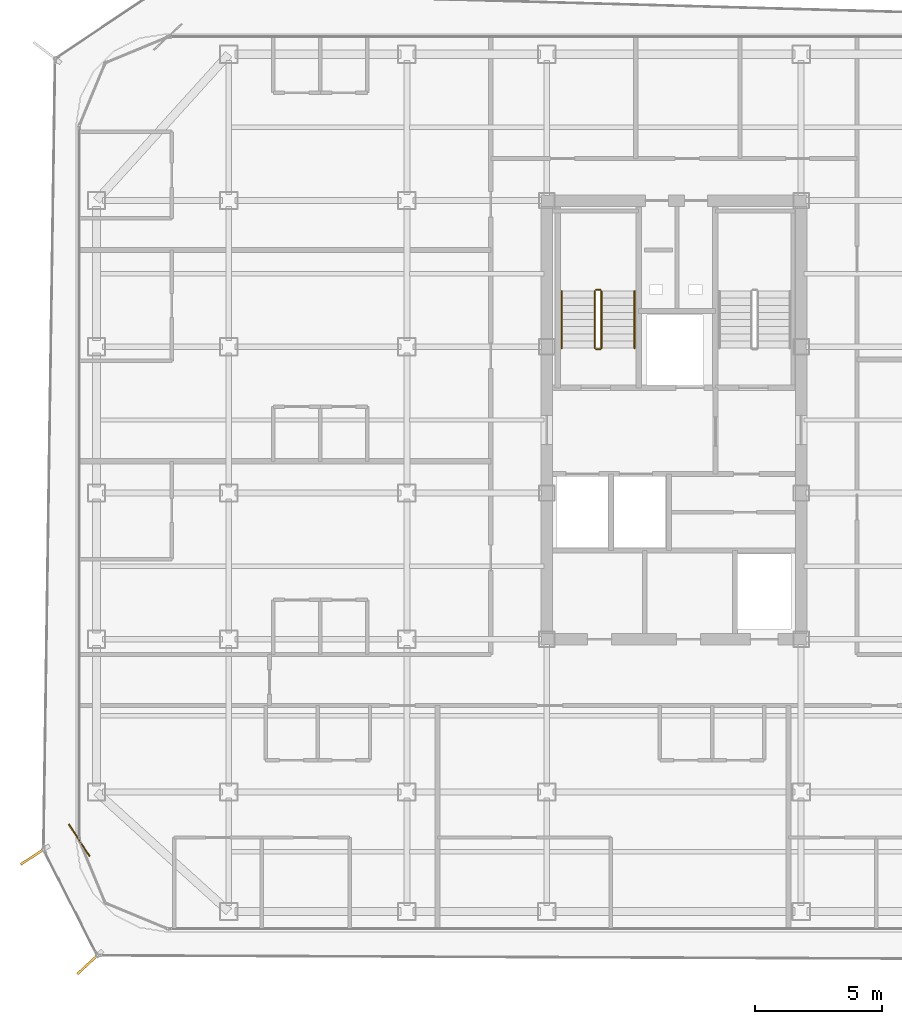
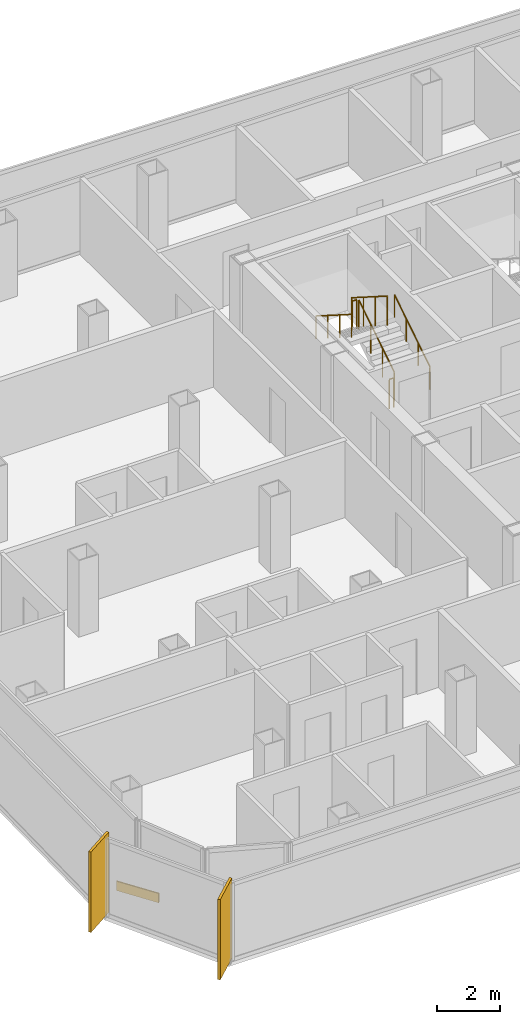
# One storey, part 14 of 16: 6 railings, 2 shading devices, 1 covering.
"""IFC4 building model written with IfcOpenShell, lengths in metres."""

from ifc_helpers import new_model, si_unit, direction, frame, origin, origin_2d, place, context, subcontext, project, spatial, rectangle, circle, extrude, source, transform, mapped, material, layer, layer_set, type_object, element, save


model = new_model("IFC4")

# Units and contexts
model_context = context("Model", 3, precision=1e-05, world=origin(), true_north=direction((0.0, 1.0)))
body_context = subcontext(model_context, "Body", "Model", "MODEL_VIEW")
ifc_project = project(units=[si_unit("LENGTHUNIT", "METRE"), si_unit("AREAUNIT", "SQUARE_METRE"), si_unit("VOLUMEUNIT", "CUBIC_METRE"), si_unit("PLANEANGLEUNIT", "RADIAN"), si_unit("MASSUNIT", "GRAM", prefix="KILO")], contexts=[model_context])

# Site, building, storey
site_placement = place(None, origin())
site = spatial("IfcSite", under=ifc_project, at=site_placement, CompositionType="ELEMENT")
building_placement = place(site_placement, origin())
building = spatial("IfcBuilding", under=site, at=building_placement, Name="Kolveth Station Tower", CompositionType="ELEMENT")
storey_placement = place(building_placement, frame((0.0, 0.0, 159.300048828125)))
storey = spatial("IfcBuildingStorey", under=building, at=storey_placement, Name="L44", CompositionType="ELEMENT", Elevation=159.300048828125)

# Railings
ifc_material_1 = material(Name="Painted Steel S355 balustrade", Category="steel")
railing_type_1 = type_object("IfcRailingType", Name="Guard_GR2", PredefinedType="BALUSTRADE", material=ifc_material_1)
railing_1_placement = place(storey_placement, frame((20.64990234375, 22.949951171875, 0.177734375)))
element("IfcRailing", 1, at=railing_1_placement, inside=storey, type_object=railing_type_1, Name="L44 ST1 stair guard 1", PredefinedType="BALUSTRADE", context=body_context, shape_type="SweptSolid", body=[
    extrude(circle(Radius=0.02392578125, at=origin_2d()), frame((0.0, 0.0, 1.1259765625), z_axis=(0.0, 0.8442293374, 0.53598211339), x_axis=(-1.0, 0.0, 0.0)), (0.0, 0.0, 1.0), 2.6533203125),
    extrude(circle(Radius=0.02099609375, at=origin_2d()), origin(), (0.0, 0.0, 1.0), 1.101806640625),
    extrude(circle(Radius=0.02099609375, at=origin_2d()), frame((0.0, 0.74658203125, 0.47412109375)), (0.0, 0.0, 1.0), 1.101806640625),
    extrude(circle(Radius=0.02099609375, at=origin_2d()), frame((0.0, 1.493408203125, 0.947998046875)), (0.0, 0.0, 1.0), 1.101806640625),
    extrude(circle(Radius=0.02099609375, at=origin_2d()), frame((0.0, 2.239990234375, 1.422119140625)), (0.0, 0.0, 1.0), 1.101806640625),
])
railing_2_placement = place(storey_placement, frame((20.60009765625, 25.239990234375, 1.599853515625)))
element("IfcRailing", 2, at=railing_2_placement, inside=storey, type_object=railing_type_1, Name="L44 ST1 stair guard 2", PredefinedType="BALUSTRADE", context=body_context, shape_type="SweptSolid", body=[
    extrude(circle(Radius=0.02392578125, at=origin_2d()), frame((0.0, 0.0, 1.1259765625), z_axis=(-1.0, 0.0, 0.0), x_axis=(0.0, -1.0, 0.0)), (0.0, 0.0, 1.0), 0.16015625),
    extrude(circle(Radius=0.02099609375, at=origin_2d()), origin(), (0.0, 0.0, 1.0), 1.101806640625),
    extrude(circle(Radius=0.02099609375, at=origin_2d()), frame((-0.16015625, 0.0, 0.0)), (0.0, 0.0, 1.0), 1.101806640625),
])
railing_3_placement = place(storey_placement, frame((20.389892578125, 25.18994140625, 1.77783203125)))
element("IfcRailing", 3, at=railing_3_placement, inside=storey, type_object=railing_type_1, Name="L44 ST1 stair guard 3", PredefinedType="BALUSTRADE", context=body_context, shape_type="SweptSolid", body=[
    extrude(circle(Radius=0.02392578125, at=origin_2d()), frame((0.0, 0.0, 1.1259765625), z_axis=(0.0, -0.8442293374, 0.53598211339), x_axis=(1.0, 0.0, 0.0)), (0.0, 0.0, 1.0), 2.6533203125),
    extrude(circle(Radius=0.02099609375, at=origin_2d()), origin(), (0.0, 0.0, 1.0), 1.101806640625),
    extrude(circle(Radius=0.02099609375, at=origin_2d()), frame((0.0, -0.74658203125, 0.47412109375)), (0.0, 0.0, 1.0), 1.101806640625),
    extrude(circle(Radius=0.02099609375, at=origin_2d()), frame((0.0, -1.493408203125, 0.947998046875)), (0.0, 0.0, 1.0), 1.101806640625),
    extrude(circle(Radius=0.02099609375, at=origin_2d()), frame((0.0, -2.239990234375, 1.422119140625)), (0.0, 0.0, 1.0), 1.101806640625),
])
railing_4_placement = place(storey_placement, frame((20.60009765625, 22.89990234375, 0.0)))
element("IfcRailing", 4, at=railing_4_placement, inside=storey, type_object=railing_type_1, Name="L44 ST1 stair guard 4", PredefinedType="BALUSTRADE", context=body_context, shape_type="SweptSolid", body=[
    extrude(circle(Radius=0.02392578125, at=origin_2d()), frame((0.0, 0.0, 1.1259765625), z_axis=(-1.0, 0.0, 0.0), x_axis=(0.0, -1.0, 0.0)), (0.0, 0.0, 1.0), 0.16015625),
    extrude(circle(Radius=0.02099609375, at=origin_2d()), origin(), (0.0, 0.0, 1.0), 1.101806640625),
    extrude(circle(Radius=0.02099609375, at=origin_2d()), frame((-0.16015625, 0.0, 0.0)), (0.0, 0.0, 1.0), 1.101806640625),
])
ifc_material_2 = material(Name="Brushed stainless steel", Category="steel")
railing_type_2 = type_object("IfcRailingType", Name="Handrail_HR1", PredefinedType="HANDRAIL", material=ifc_material_2)
railing_5_placement = place(storey_placement, frame((21.949951171875, 22.949951171875, 0.177734375)))
element("IfcRailing", 5, at=railing_5_placement, inside=storey, type_object=railing_type_2, Name="L44 ST1 stair handrail 1", PredefinedType="HANDRAIL", context=body_context, shape_type="SweptSolid", body=[
    extrude(circle(Radius=0.02392578125, at=origin_2d()), frame((0.0, 0.0, 0.8759765625), z_axis=(0.0, 0.8442293374, 0.53598211339), x_axis=(-1.0, 0.0, 0.0)), (0.0, 0.0, 1.0), 2.6533203125),
    extrude(circle(Radius=0.02099609375, at=origin_2d()), origin(), (0.0, 0.0, 1.0), 0.851806640625),
    extrude(circle(Radius=0.02099609375, at=origin_2d()), frame((0.0, 0.74658203125, 0.47412109375)), (0.0, 0.0, 1.0), 0.851806640625),
    extrude(circle(Radius=0.02099609375, at=origin_2d()), frame((0.0, 1.493408203125, 0.947998046875)), (0.0, 0.0, 1.0), 0.851806640625),
    extrude(circle(Radius=0.02099609375, at=origin_2d()), frame((0.0, 2.239990234375, 1.422119140625)), (0.0, 0.0, 1.0), 0.851806640625),
])
railing_6_placement = place(storey_placement, frame((19.090087890625, 25.18994140625, 1.77783203125)))
element("IfcRailing", 6, at=railing_6_placement, inside=storey, type_object=railing_type_2, Name="L44 ST1 stair handrail 2", PredefinedType="HANDRAIL", context=body_context, shape_type="SweptSolid", body=[
    extrude(circle(Radius=0.02392578125, at=origin_2d()), frame((0.0, 0.0, 0.8759765625), z_axis=(0.0, -0.8442293374, 0.53598211339), x_axis=(1.0, 0.0, 0.0)), (0.0, 0.0, 1.0), 2.6533203125),
    extrude(circle(Radius=0.02099609375, at=origin_2d()), origin(), (0.0, 0.0, 1.0), 0.851806640625),
    extrude(circle(Radius=0.02099609375, at=origin_2d()), frame((0.0, -0.74658203125, 0.47412109375)), (0.0, 0.0, 1.0), 0.851806640625),
    extrude(circle(Radius=0.02099609375, at=origin_2d()), frame((0.0, -1.493408203125, 0.947998046875)), (0.0, 0.0, 1.0), 0.851806640625),
    extrude(circle(Radius=0.02099609375, at=origin_2d()), frame((0.0, -2.239990234375, 1.422119140625)), (0.0, 0.0, 1.0), 0.851806640625),
])

# Shading devices
ifc_material_3 = material(Name="Black anodized aluminium 6063-T6", Category="aluminium")
shading_device_type = type_object("IfcShadingDeviceType", Name="FIN_VF1", PredefinedType="USERDEFINED", material=ifc_material_3)
shared_shape_1 = source(origin(), body_context, "Body", "SweptSolid", [
    extrude(rectangle(XDim=1.25, YDim=0.090087890625, at=origin_2d()), origin(), (0.0, 0.0, 1.0), 3.10009765625),
])
for number, where, z_axis, x_axis, name in (
    (7, (-1.659912109375, 2.989990234375, 0.0), (0.0, 0.0, 1.0), (-0.838480401967, -0.544931753083, 0.0), "L44 Dark-Aluminium Solar Fin 7"),
    (8, (0.5009765625, -1.236083984375, 0.0), (0.0, 0.0, 1.0), (-0.733848438205, -0.679313233894, 0.0), "L44 Dark-Aluminium Solar Fin 8"),
):
    element("IfcShadingDevice", number, at=place(storey_placement, frame(where, z_axis=z_axis, x_axis=x_axis)), inside=storey, type_object=shading_device_type, Name=name, ObjectType="FIN", PredefinedType="USERDEFINED", context=body_context, shape_type="MappedRepresentation", body=[
        mapped(shared_shape_1, transform((0.0, 0.0, 0.0), x_axis=(1.0, 0.0, 0.0), y_axis=(0.0, 1.0, 0.0), z_axis=(0.0, 0.0, 1.0), scale=1.0)),
    ])

# Covering
ifc_material_4 = material(Name="Charcoal anodized aluminium spandrel cladding", Category="aluminium")
ifc_layer = layer(ifc_material_4, 0.044921875)
ifc_layer_set = layer_set([ifc_layer], Name="Charcoal anodized aluminium spandrel cladding")
covering_type = type_object("IfcCoveringType", Name="Clad_CD1", PredefinedType="CLADDING", material=ifc_layer_set)
shared_shape_2 = source(origin(), body_context, "Body", "SweptSolid", [
    extrude(rectangle(XDim=1.5, YDim=0.044921875, at=origin_2d()), origin(), (0.0, 0.0, 1.0), 0.360107421875),
])
covering_placement = place(storey_placement, frame((0.1201171875, 3.60009765625, 0.0), z_axis=(0.0, 0.0, 1.0), x_axis=(0.544931753083, -0.838480401967, 0.0)))
element("IfcCovering", 9, at=covering_placement, inside=storey, type_object=covering_type, Name="L44 Spandrel Edge Cladding 7", PredefinedType="CLADDING", context=body_context, shape_type="MappedRepresentation", body=[
    mapped(shared_shape_2, transform((0.0, 0.0, 0.0), x_axis=(1.0, 0.0, 0.0), y_axis=(0.0, 1.0, 0.0), z_axis=(0.0, 0.0, 1.0), scale=1.0)),
])

save(model, "model.ifc")
